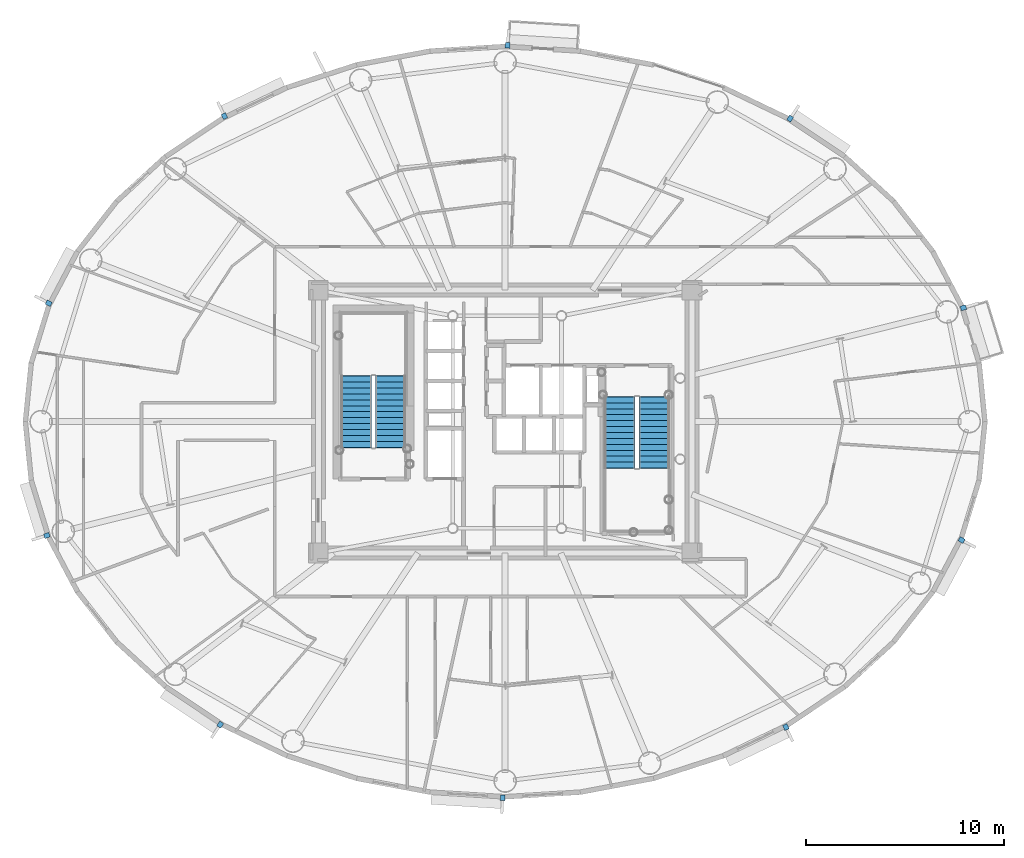
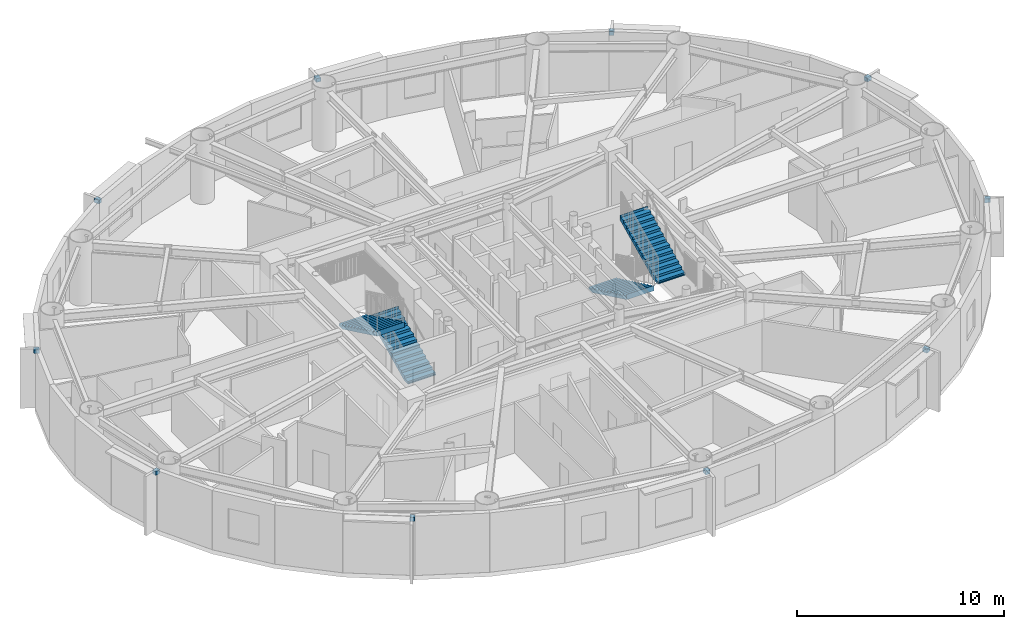
# One storey, part 14 of 22: 10 discrete accessories, 4 stair flights, 2 elements without a shape of their own.
"""IFC4 building model written with IfcOpenShell, lengths in metres."""

from ifc_helpers import new_model, si_unit, direction, frame, origin, origin_2d, place, context, subcontext, project, spatial, polyline, rectangle, outline, extrude, source, transform, mapped, material, type_object, element, aggregate, save


model = new_model("IFC4")

# Units and contexts
model_context = context("Model", 3, precision=1e-05, world=origin(), true_north=direction((0.0, 1.0)))
body_context = subcontext(model_context, "Body", "Model", "MODEL_VIEW")
ifc_project = project(units=[si_unit("LENGTHUNIT", "METRE"), si_unit("AREAUNIT", "SQUARE_METRE"), si_unit("VOLUMEUNIT", "CUBIC_METRE"), si_unit("PLANEANGLEUNIT", "RADIAN"), si_unit("MASSUNIT", "GRAM", prefix="KILO")], contexts=[model_context])

# Site, building, storey
site_placement = place(None, origin())
site = spatial("IfcSite", under=ifc_project, at=site_placement, CompositionType="ELEMENT")
building_placement = place(site_placement, origin())
building = spatial("IfcBuilding", under=site, at=building_placement, Name="Linh Dai School and Residence Tower", CompositionType="ELEMENT")
storey_placement = place(building_placement, frame((0.0, 0.0, 214.050048828125)))
storey = spatial("IfcBuildingStorey", under=building, at=storey_placement, Name="L52", CompositionType="ELEMENT", Elevation=214.050048828125)

# Stair, stair flights
ifc_material_1 = material(Name="Concrete B45 (C35/45)", Category="concrete")
stair_type = type_object("IfcStairType", Name="ST-DOG-1550-R1442", PredefinedType="HALF_TURN_STAIR", material=ifc_material_1)
stair_1_placement = place(storey_placement, origin())
stair_1 = element("IfcStair", 1, at=stair_1_placement, inside=storey, type_object=stair_type, Name="L52 Core Smokeproof Exit Stair ST1", PredefinedType="HALF_TURN_STAIR")
stair_flight_type = type_object("IfcStairFlightType", Name="STF-STR-1550-R1442", PredefinedType="STRAIGHT", material=ifc_material_1)
shared_shape_1 = source(origin(), body_context, "Body", "SweptSolid", [
    extrude(outline(polyline([(-0.02490234375, 0.0), (-0.02490234375, 0.06005859375), (0.0, 0.06005859375), (0.0, 0.144287109375), (0.300048828125, 0.144287109375), (0.300048828125, 0.28857421875), (0.60009765625, 0.28857421875), (0.60009765625, 0.4326171875), (0.89990234375, 0.4326171875), (0.89990234375, 0.576904296875), (1.199951171875, 0.576904296875), (1.199951171875, 0.72119140625), (1.5, 0.72119140625), (1.5, 0.865478515625), (1.800048828125, 0.865478515625), (1.800048828125, 1.009521484375), (2.10009765625, 1.009521484375), (2.10009765625, 1.15380859375), (2.39990234375, 1.15380859375), (2.39990234375, 1.298095703125), (2.699951171875, 1.298095703125), (2.699951171875, 1.4423828125), (3.0, 1.4423828125), (3.0, 1.58642578125), (3.300048828125, 1.58642578125), (3.300048828125, 1.730712890625), (3.60009765625, 1.730712890625), (3.60009765625, 1.875), (3.625, 1.875), (3.625, 1.564453125), (3.60009765625, 1.564453125), (0.345947265625, 0.0), (-0.02490234375, 0.0)])), frame((0.0, 0.77490234375, 0.0), z_axis=(0.0, -1.0, 0.0), x_axis=(1.0, 0.0, 0.0)), (0.0, 0.0, 1.0), 1.550048828125),
])
stair_flight_1_placement = place(storey_placement, frame((30.205078125, 25.699951171875, 0.0), z_axis=(0.0, 0.0, 1.0), x_axis=(0.0, 1.0, 0.0)))
stair_flight_1 = element("IfcStairFlight", 2, at=stair_flight_1_placement, type_object=stair_flight_type, Name="ST1 flight 1", NumberOfRisers=13, NumberOfTreads=12, PredefinedType="STRAIGHT", RiserHeight=0.144230769, TreadLength=0.3, context=body_context, shape_type="MappedRepresentation", body=[
    mapped(shared_shape_1, transform((0.0, 0.0, 0.0), x_axis=(1.0, 0.0, 0.0), y_axis=(0.0, 1.0, 0.0), z_axis=(0.0, 0.0, 1.0), scale=1.0)),
])
stair_flight_2_placement = place(storey_placement, frame((28.455078125, 29.300048828125, 1.875), z_axis=(0.0, 0.0, 1.0), x_axis=(0.0, -1.0, 0.0)))
stair_flight_2 = element("IfcStairFlight", 3, at=stair_flight_2_placement, type_object=stair_flight_type, Name="ST1 flight 2", NumberOfRisers=13, NumberOfTreads=12, PredefinedType="STRAIGHT", RiserHeight=0.144230769, TreadLength=0.3, context=body_context, shape_type="MappedRepresentation", body=[
    mapped(shared_shape_1, transform((0.0, 0.0, 0.0), x_axis=(1.0, 0.0, 0.0), y_axis=(0.0, 1.0, 0.0), z_axis=(0.0, 0.0, 1.0), scale=1.0)),
])
aggregate(stair_1, [stair_flight_1, stair_flight_2])

stair_2_placement = place(storey_placement, origin())
stair_2 = element("IfcStair", 4, at=stair_2_placement, inside=storey, type_object=stair_type, Name="L52 Core Smokeproof Exit Stair ST2", PredefinedType="HALF_TURN_STAIR")
stair_flight_3_placement = place(storey_placement, frame((41.794921875, 28.25, 0.0), z_axis=(0.0, 0.0, 1.0), x_axis=(0.0, -1.0, 0.0)))
stair_flight_3 = element("IfcStairFlight", 5, at=stair_flight_3_placement, type_object=stair_flight_type, Name="ST2 flight 1", NumberOfRisers=13, NumberOfTreads=12, PredefinedType="STRAIGHT", RiserHeight=0.144230769, TreadLength=0.3, context=body_context, shape_type="MappedRepresentation", body=[
    mapped(shared_shape_1, transform((0.0, 0.0, 0.0), x_axis=(1.0, 0.0, 0.0), y_axis=(0.0, 1.0, 0.0), z_axis=(0.0, 0.0, 1.0), scale=1.0)),
])
stair_flight_4_placement = place(storey_placement, frame((43.544921875, 24.64990234375, 1.875), z_axis=(0.0, 0.0, 1.0), x_axis=(0.0, 1.0, 0.0)))
stair_flight_4 = element("IfcStairFlight", 6, at=stair_flight_4_placement, type_object=stair_flight_type, Name="ST2 flight 2", NumberOfRisers=13, NumberOfTreads=12, PredefinedType="STRAIGHT", RiserHeight=0.144230769, TreadLength=0.3, context=body_context, shape_type="MappedRepresentation", body=[
    mapped(shared_shape_1, transform((0.0, 0.0, 0.0), x_axis=(1.0, 0.0, 0.0), y_axis=(0.0, 1.0, 0.0), z_axis=(0.0, 0.0, 1.0), scale=1.0)),
])
aggregate(stair_2, [stair_flight_3, stair_flight_4])

# Discrete accessories
ifc_material_2 = material(Name="Structural Steel S355JR", Category="steel")
discrete_accessory_type = type_object("IfcDiscreteAccessoryType", Name="ACC-BRK-S355", PredefinedType="BRACKET", material=ifc_material_2)
shared_shape_2 = source(origin(), body_context, "Body", "SweptSolid", [
    extrude(rectangle(XDim=0.280029296875, YDim=0.239990234375, at=origin_2d()), origin(), (0.0, 0.0, 1.0), 0.219970703125),
])
for number, where, z_axis, x_axis, name in (
    (7, (59.182861328125, 32.7587890625, 3.25), (0.0, 0.0, 1.0), (0.956064190994, 0.2931574026, 0.0), "L52 Facade Frame Anchor Bracket 02"),
    (8, (50.413330078125, 42.330810546875, 3.25), (0.0, 0.0, 1.0), (0.555887222025, 0.831257719597, 0.0), "L52 Facade Frame Anchor Bracket 06"),
    (9, (36.12353515625, 46.032470703125, 3.25), (0.0, 0.0, 1.0), (0.061504437922, 0.998106809974, 0.0), "L52 Facade Frame Anchor Bracket 10"),
    (10, (21.802001953125, 42.45361328125, 3.25), (0.0, 0.0, 1.0), (-0.432593941973, 0.901588864931, 0.0), "L52 Facade Frame Anchor Bracket 14"),
    (11, (12.912841796875, 32.989990234375, 3.25), (0.0, 0.0, 1.0), (-0.883928950783, 0.467621224891, 0.0), "L52 Facade Frame Anchor Bracket 18"),
    (12, (12.817138671875, 21.2412109375, 3.25), (0.0, 0.0, 1.0), (-0.956064190994, -0.2931574026, 0.0), "L52 Facade Frame Anchor Bracket 22"),
    (13, (21.586669921875, 11.669189453125, 3.25), (0.0, 0.0, 1.0), (-0.555887222025, -0.831257719597, 0.0), "L52 Facade Frame Anchor Bracket 26"),
    (14, (35.87646484375, 7.967529296875, 3.25), (0.0, 0.0, 1.0), (-0.061504437922, -0.998106809974, 0.0), "L52 Facade Frame Anchor Bracket 30"),
    (15, (50.197998046875, 11.54638671875, 3.25), (0.0, 0.0, 1.0), (0.432593941973, -0.901588864931, 0.0), "L52 Facade Frame Anchor Bracket 34"),
    (16, (59.087158203125, 21.010009765625, 3.25), (0.0, 0.0, 1.0), (0.883928950783, -0.467621224891, 0.0), "L52 Facade Frame Anchor Bracket 38"),
):
    element("IfcDiscreteAccessory", number, at=place(storey_placement, frame(where, z_axis=z_axis, x_axis=x_axis)), inside=storey, type_object=discrete_accessory_type, Name=name, PredefinedType="BRACKET", context=body_context, shape_type="MappedRepresentation", body=[
        mapped(shared_shape_2, transform((0.0, 0.0, 0.0), x_axis=(1.0, 0.0, 0.0), y_axis=(0.0, 1.0, 0.0), z_axis=(0.0, 0.0, 1.0), scale=1.0)),
    ])

save(model, "model.ifc")
